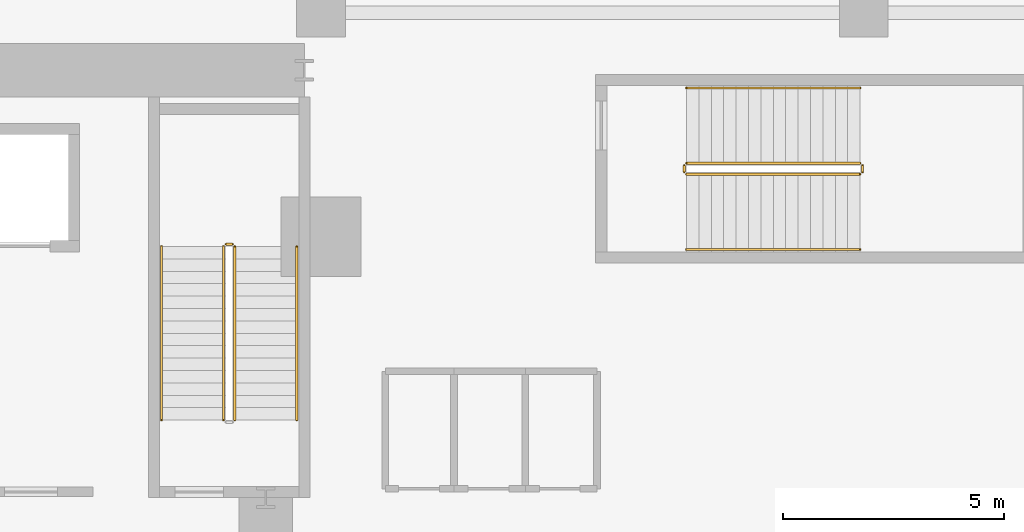
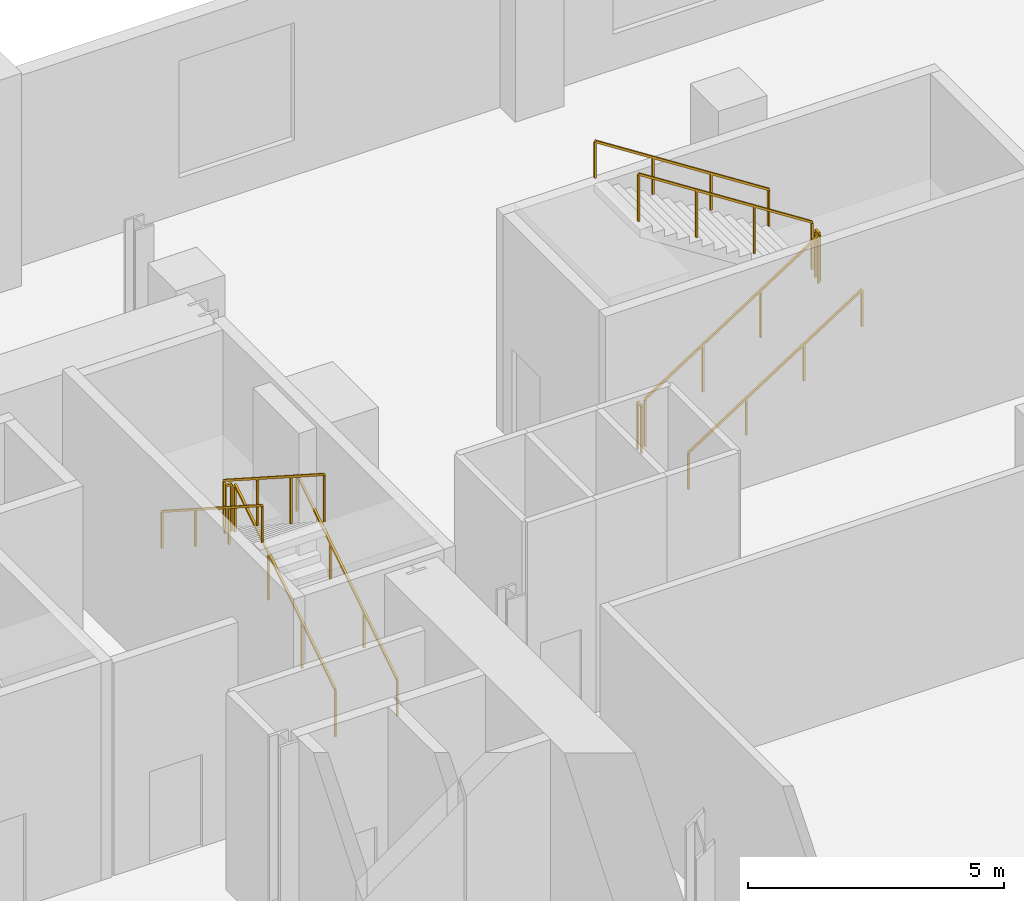
# One storey, part 12 of 12: 11 railings.
"""IFC4 building model written with IfcOpenShell, lengths in metres."""

from ifc_helpers import new_model, si_unit, direction, frame, origin, origin_2d, place, context, subcontext, project, spatial, rectangle, extrude, source, transform, mapped, material, type_object, element, save


model = new_model("IFC4")

# Units and contexts
model_context = context("Model", 3, precision=1e-05, world=origin(), true_north=direction((0.0, 1.0)))
body_context = subcontext(model_context, "Body", "Model", "MODEL_VIEW")
ifc_project = project(units=[si_unit("LENGTHUNIT", "METRE"), si_unit("AREAUNIT", "SQUARE_METRE"), si_unit("VOLUMEUNIT", "CUBIC_METRE"), si_unit("PLANEANGLEUNIT", "RADIAN"), si_unit("MASSUNIT", "GRAM", prefix="KILO")], contexts=[model_context])

# Site, building, storey
site_placement = place(None, origin())
site = spatial("IfcSite", under=ifc_project, at=site_placement, CompositionType="ELEMENT")
building_placement = place(site_placement, origin())
building = spatial("IfcBuilding", under=site, at=building_placement, Name="Vardaveli Station Tower", CompositionType="ELEMENT")
storey_placement = place(building_placement, frame((0.0, 0.0, 17.0)))
storey = spatial("IfcBuildingStorey", under=building, at=storey_placement, Name="L04", CompositionType="ELEMENT", Elevation=17.0)

# Railings
ifc_material = material(Name="Brushed AISI 316 stainless steel", Category="steel")
railing_type_1 = type_object("IfcRailingType", Name="RL-GUARD-1150", PredefinedType="GUARDRAIL", material=ifc_material)
shared_shape_1 = source(origin(), body_context, "Body", "SweptSolid", [
    extrude(rectangle(XDim=0.048095703125, YDim=0.048095703125, at=origin_2d()), frame((0.0, 0.0, 1.1259765625), z_axis=(0.0, 0.841186985886, 0.540744352514), x_axis=(-1.0, 0.0, 0.0)), (0.0, 0.0, 1.0), 4.660400390625),
    extrude(rectangle(XDim=0.0419921875, YDim=0.0419921875, at=origin_2d()), origin(), (0.0, 0.0, 1.0), 1.101806640625),
    extrude(rectangle(XDim=0.0419921875, YDim=0.0419921875, at=origin_2d()), frame((0.0, 1.306640625, 0.840087890625)), (0.0, 0.0, 1.0), 1.101806640625),
    extrude(rectangle(XDim=0.0419921875, YDim=0.0419921875, at=origin_2d()), frame((0.0, 2.613525390625, 1.679931640625)), (0.0, 0.0, 1.0), 1.101806640625),
    extrude(rectangle(XDim=0.0419921875, YDim=0.0419921875, at=origin_2d()), frame((0.0, 3.920166015625, 2.52001953125)), (0.0, 0.0, 1.0), 1.101806640625),
])
railing_1_placement = place(storey_placement, frame((45.800048828125, 32.39990234375, 0.179931640625)))
element("IfcRailing", 1, at=railing_1_placement, inside=storey, type_object=railing_type_1, Name="L04 ST-3 stair guard 1", PredefinedType="GUARDRAIL", context=body_context, shape_type="MappedRepresentation", body=[
    mapped(shared_shape_1, transform((0.0, 0.0, 0.0), scale=1.0)),
])
shared_shape_2 = source(origin(), body_context, "Body", "SweptSolid", [
    extrude(rectangle(XDim=0.048095703125, YDim=0.048095703125, at=origin_2d()), frame((0.0, 0.0, 1.1259765625), z_axis=(-1.0, 0.0, 0.0), x_axis=(0.0, -1.0, 0.0)), (0.0, 0.0, 1.0), 0.14990234375),
    extrude(rectangle(XDim=0.0419921875, YDim=0.0419921875, at=origin_2d()), origin(), (0.0, 0.0, 1.0), 1.101806640625),
    extrude(rectangle(XDim=0.0419921875, YDim=0.0419921875, at=origin_2d()), frame((-0.14990234375, 0.0, 0.0)), (0.0, 0.0, 1.0), 1.101806640625),
])
railing_2_placement = place(storey_placement, frame((45.75, 36.3701171875, 2.699951171875)))
element("IfcRailing", 2, at=railing_2_placement, inside=storey, type_object=railing_type_1, Name="L04 ST-3 stair guard 2", PredefinedType="GUARDRAIL", context=body_context, shape_type="MappedRepresentation", body=[
    mapped(shared_shape_2, transform((0.0, 0.0, 0.0), scale=1.0)),
])
shared_shape_3 = source(origin(), body_context, "Body", "SweptSolid", [
    extrude(rectangle(XDim=0.048095703125, YDim=0.048095703125, at=origin_2d()), frame((0.0, 0.0, 1.1259765625), z_axis=(0.0, -0.841186985886, 0.540744352514), x_axis=(1.0, 0.0, 0.0)), (0.0, 0.0, 1.0), 4.660400390625),
    extrude(rectangle(XDim=0.0419921875, YDim=0.0419921875, at=origin_2d()), origin(), (0.0, 0.0, 1.0), 1.101806640625),
    extrude(rectangle(XDim=0.0419921875, YDim=0.0419921875, at=origin_2d()), frame((0.0, -1.306640625, 0.840087890625)), (0.0, 0.0, 1.0), 1.101806640625),
    extrude(rectangle(XDim=0.0419921875, YDim=0.0419921875, at=origin_2d()), frame((0.0, -2.613525390625, 1.679931640625)), (0.0, 0.0, 1.0), 1.101806640625),
    extrude(rectangle(XDim=0.0419921875, YDim=0.0419921875, at=origin_2d()), frame((0.0, -3.920166015625, 2.52001953125)), (0.0, 0.0, 1.0), 1.101806640625),
])
railing_3_placement = place(storey_placement, frame((45.550048828125, 36.320068359375, 2.8798828125)))
element("IfcRailing", 3, at=railing_3_placement, inside=storey, type_object=railing_type_1, Name="L04 ST-3 stair guard 3", PredefinedType="GUARDRAIL", context=body_context, shape_type="MappedRepresentation", body=[
    mapped(shared_shape_3, transform((0.0, 0.0, 0.0), scale=1.0)),
])
railing_type_2 = type_object("IfcRailingType", Name="RL-HAND-900", PredefinedType="HANDRAIL", material=ifc_material)
shared_shape_4 = source(origin(), body_context, "Body", "SweptSolid", [
    extrude(rectangle(XDim=0.048095703125, YDim=0.048095703125, at=origin_2d()), frame((0.0, 0.0, 0.8759765625), z_axis=(0.0, 0.841186985886, 0.540744352514), x_axis=(-1.0, 0.0, 0.0)), (0.0, 0.0, 1.0), 4.660400390625),
    extrude(rectangle(XDim=0.0419921875, YDim=0.0419921875, at=origin_2d()), origin(), (0.0, 0.0, 1.0), 0.851806640625),
    extrude(rectangle(XDim=0.0419921875, YDim=0.0419921875, at=origin_2d()), frame((0.0, 1.306640625, 0.840087890625)), (0.0, 0.0, 1.0), 0.851806640625),
    extrude(rectangle(XDim=0.0419921875, YDim=0.0419921875, at=origin_2d()), frame((0.0, 2.613525390625, 1.679931640625)), (0.0, 0.0, 1.0), 0.851806640625),
    extrude(rectangle(XDim=0.0419921875, YDim=0.0419921875, at=origin_2d()), frame((0.0, 3.920166015625, 2.52001953125)), (0.0, 0.0, 1.0), 0.851806640625),
])
railing_4_placement = place(storey_placement, frame((47.199951171875, 32.39990234375, 0.179931640625)))
element("IfcRailing", 4, at=railing_4_placement, inside=storey, type_object=railing_type_2, Name="L04 ST-3 stair handrail 1", PredefinedType="HANDRAIL", context=body_context, shape_type="MappedRepresentation", body=[
    mapped(shared_shape_4, transform((0.0, 0.0, 0.0), scale=1.0)),
])
shared_shape_5 = source(origin(), body_context, "Body", "SweptSolid", [
    extrude(rectangle(XDim=0.048095703125, YDim=0.048095703125, at=origin_2d()), frame((0.0, 0.0, 0.8759765625), z_axis=(0.0, -0.841186985886, 0.540744352514), x_axis=(1.0, 0.0, 0.0)), (0.0, 0.0, 1.0), 4.660400390625),
    extrude(rectangle(XDim=0.0419921875, YDim=0.0419921875, at=origin_2d()), origin(), (0.0, 0.0, 1.0), 0.851806640625),
    extrude(rectangle(XDim=0.0419921875, YDim=0.0419921875, at=origin_2d()), frame((0.0, -1.306640625, 0.840087890625)), (0.0, 0.0, 1.0), 0.851806640625),
    extrude(rectangle(XDim=0.0419921875, YDim=0.0419921875, at=origin_2d()), frame((0.0, -2.613525390625, 1.679931640625)), (0.0, 0.0, 1.0), 0.851806640625),
    extrude(rectangle(XDim=0.0419921875, YDim=0.0419921875, at=origin_2d()), frame((0.0, -3.920166015625, 2.52001953125)), (0.0, 0.0, 1.0), 0.851806640625),
])
railing_5_placement = place(storey_placement, frame((44.14990234375, 36.320068359375, 2.8798828125)))
element("IfcRailing", 5, at=railing_5_placement, inside=storey, type_object=railing_type_2, Name="L04 ST-3 stair handrail 2", PredefinedType="HANDRAIL", context=body_context, shape_type="MappedRepresentation", body=[
    mapped(shared_shape_5, transform((0.0, 0.0, 0.0), scale=1.0)),
])
shared_shape_6 = source(origin(), body_context, "Body", "SweptSolid", [
    extrude(rectangle(XDim=0.048095703125, YDim=0.048095703125, at=origin_2d()), frame((0.0, 0.0, 1.1259765625), z_axis=(0.841171666519, 0.0, 0.540768182723), x_axis=(0.0, 1.0, 0.0)), (0.0, 0.0, 1.0), 4.66015625),
    extrude(rectangle(XDim=0.0419921875, YDim=0.0419921875, at=origin_2d()), origin(), (0.0, 0.0, 1.0), 1.101806640625),
    extrude(rectangle(XDim=0.0419921875, YDim=0.0419921875, at=origin_2d()), frame((1.306640625, 0.0, 0.840087890625)), (0.0, 0.0, 1.0), 1.101806640625),
    extrude(rectangle(XDim=0.0419921875, YDim=0.0419921875, at=origin_2d()), frame((2.61328125, 0.0, 1.679931640625)), (0.0, 0.0, 1.0), 1.101806640625),
    extrude(rectangle(XDim=0.0419921875, YDim=0.0419921875, at=origin_2d()), frame((3.919921875, 0.0, 2.52001953125)), (0.0, 0.0, 1.0), 1.101806640625),
])
railing_6_placement = place(storey_placement, frame((56.0, 37.949951171875, 0.179931640625)))
element("IfcRailing", 6, at=railing_6_placement, inside=storey, type_object=railing_type_1, Name="L04 ST-P2 stair guard 1", PredefinedType="GUARDRAIL", context=body_context, shape_type="MappedRepresentation", body=[
    mapped(shared_shape_6, transform((0.0, 0.0, 0.0), scale=1.0)),
])
shared_shape_7 = source(origin(), body_context, "Body", "SweptSolid", [
    extrude(rectangle(XDim=0.048095703125, YDim=0.048095703125, at=origin_2d()), frame((0.0, 0.0, 1.1259765625), z_axis=(0.0, 1.0, 0.0), x_axis=(-1.0, 0.0, 0.0)), (0.0, 0.0, 1.0), 0.14990234375),
    extrude(rectangle(XDim=0.0419921875, YDim=0.0419921875, at=origin_2d()), origin(), (0.0, 0.0, 1.0), 1.101806640625),
    extrude(rectangle(XDim=0.0419921875, YDim=0.0419921875, at=origin_2d()), frame((0.0, 0.14990234375, 0.0)), (0.0, 0.0, 1.0), 1.101806640625),
])
for number, where, name in (
    (7, (59.969970703125, 38.0, 2.699951171875), "L04 ST-P2 stair guard 2"),
    (8, (55.949951171875, 38.0, 0.0), "L04 ST-P2 stair guard 4"),
):
    element("IfcRailing", number, at=place(storey_placement, frame(where)), inside=storey, type_object=railing_type_1, Name=name, PredefinedType="GUARDRAIL", context=body_context, shape_type="MappedRepresentation", body=[
        mapped(shared_shape_7, transform((0.0, 0.0, 0.0), scale=1.0)),
    ])
shared_shape_8 = source(origin(), body_context, "Body", "SweptSolid", [
    extrude(rectangle(XDim=0.048095703125, YDim=0.048095703125, at=origin_2d()), frame((0.0, 0.0, 1.1259765625), z_axis=(-0.841171666519, 0.0, 0.540768182723), x_axis=(0.0, -1.0, 0.0)), (0.0, 0.0, 1.0), 4.66015625),
    extrude(rectangle(XDim=0.0419921875, YDim=0.0419921875, at=origin_2d()), origin(), (0.0, 0.0, 1.0), 1.101806640625),
    extrude(rectangle(XDim=0.0419921875, YDim=0.0419921875, at=origin_2d()), frame((-1.306640625, 0.0, 0.840087890625)), (0.0, 0.0, 1.0), 1.101806640625),
    extrude(rectangle(XDim=0.0419921875, YDim=0.0419921875, at=origin_2d()), frame((-2.61328125, 0.0, 1.679931640625)), (0.0, 0.0, 1.0), 1.101806640625),
    extrude(rectangle(XDim=0.0419921875, YDim=0.0419921875, at=origin_2d()), frame((-3.919921875, 0.0, 2.52001953125)), (0.0, 0.0, 1.0), 1.101806640625),
])
railing_7_placement = place(storey_placement, frame((59.919921875, 38.199951171875, 2.8798828125)))
element("IfcRailing", 9, at=railing_7_placement, inside=storey, type_object=railing_type_1, Name="L04 ST-P2 stair guard 3", PredefinedType="GUARDRAIL", context=body_context, shape_type="MappedRepresentation", body=[
    mapped(shared_shape_8, transform((0.0, 0.0, 0.0), scale=1.0)),
])
shared_shape_9 = source(origin(), body_context, "Body", "SweptSolid", [
    extrude(rectangle(XDim=0.048095703125, YDim=0.048095703125, at=origin_2d()), frame((0.0, 0.0, 0.8759765625), z_axis=(0.841171666519, 0.0, 0.540768182723), x_axis=(0.0, 1.0, 0.0)), (0.0, 0.0, 1.0), 4.66015625),
    extrude(rectangle(XDim=0.0419921875, YDim=0.0419921875, at=origin_2d()), origin(), (0.0, 0.0, 1.0), 0.851806640625),
    extrude(rectangle(XDim=0.0419921875, YDim=0.0419921875, at=origin_2d()), frame((1.306640625, 0.0, 0.840087890625)), (0.0, 0.0, 1.0), 0.851806640625),
    extrude(rectangle(XDim=0.0419921875, YDim=0.0419921875, at=origin_2d()), frame((2.61328125, 0.0, 1.679931640625)), (0.0, 0.0, 1.0), 0.851806640625),
    extrude(rectangle(XDim=0.0419921875, YDim=0.0419921875, at=origin_2d()), frame((3.919921875, 0.0, 2.52001953125)), (0.0, 0.0, 1.0), 0.851806640625),
])
railing_8_placement = place(storey_placement, frame((56.0, 36.25, 0.179931640625)))
element("IfcRailing", 10, at=railing_8_placement, inside=storey, type_object=railing_type_2, Name="L04 ST-P2 stair handrail 1", PredefinedType="HANDRAIL", context=body_context, shape_type="MappedRepresentation", body=[
    mapped(shared_shape_9, transform((0.0, 0.0, 0.0), scale=1.0)),
])
shared_shape_10 = source(origin(), body_context, "Body", "SweptSolid", [
    extrude(rectangle(XDim=0.048095703125, YDim=0.048095703125, at=origin_2d()), frame((0.0, 0.0, 0.8759765625), z_axis=(-0.841171666519, 0.0, 0.540768182723), x_axis=(0.0, -1.0, 0.0)), (0.0, 0.0, 1.0), 4.66015625),
    extrude(rectangle(XDim=0.0419921875, YDim=0.0419921875, at=origin_2d()), origin(), (0.0, 0.0, 1.0), 0.851806640625),
    extrude(rectangle(XDim=0.0419921875, YDim=0.0419921875, at=origin_2d()), frame((-1.306640625, 0.0, 0.840087890625)), (0.0, 0.0, 1.0), 0.851806640625),
    extrude(rectangle(XDim=0.0419921875, YDim=0.0419921875, at=origin_2d()), frame((-2.61328125, 0.0, 1.679931640625)), (0.0, 0.0, 1.0), 0.851806640625),
    extrude(rectangle(XDim=0.0419921875, YDim=0.0419921875, at=origin_2d()), frame((-3.919921875, 0.0, 2.52001953125)), (0.0, 0.0, 1.0), 0.851806640625),
])
railing_9_placement = place(storey_placement, frame((59.919921875, 39.89990234375, 2.8798828125)))
element("IfcRailing", 11, at=railing_9_placement, inside=storey, type_object=railing_type_2, Name="L04 ST-P2 stair handrail 2", PredefinedType="HANDRAIL", context=body_context, shape_type="MappedRepresentation", body=[
    mapped(shared_shape_10, transform((0.0, 0.0, 0.0), scale=1.0)),
])

save(model, "model.ifc")
